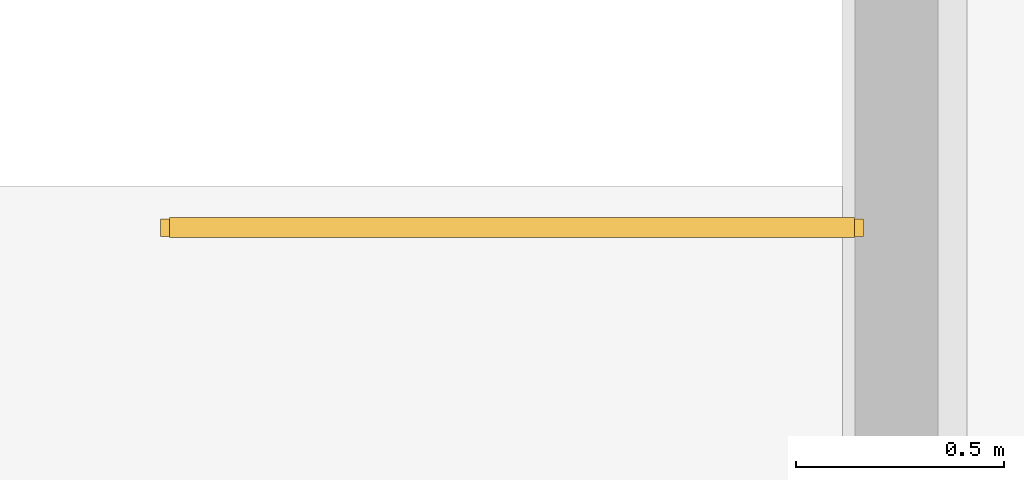
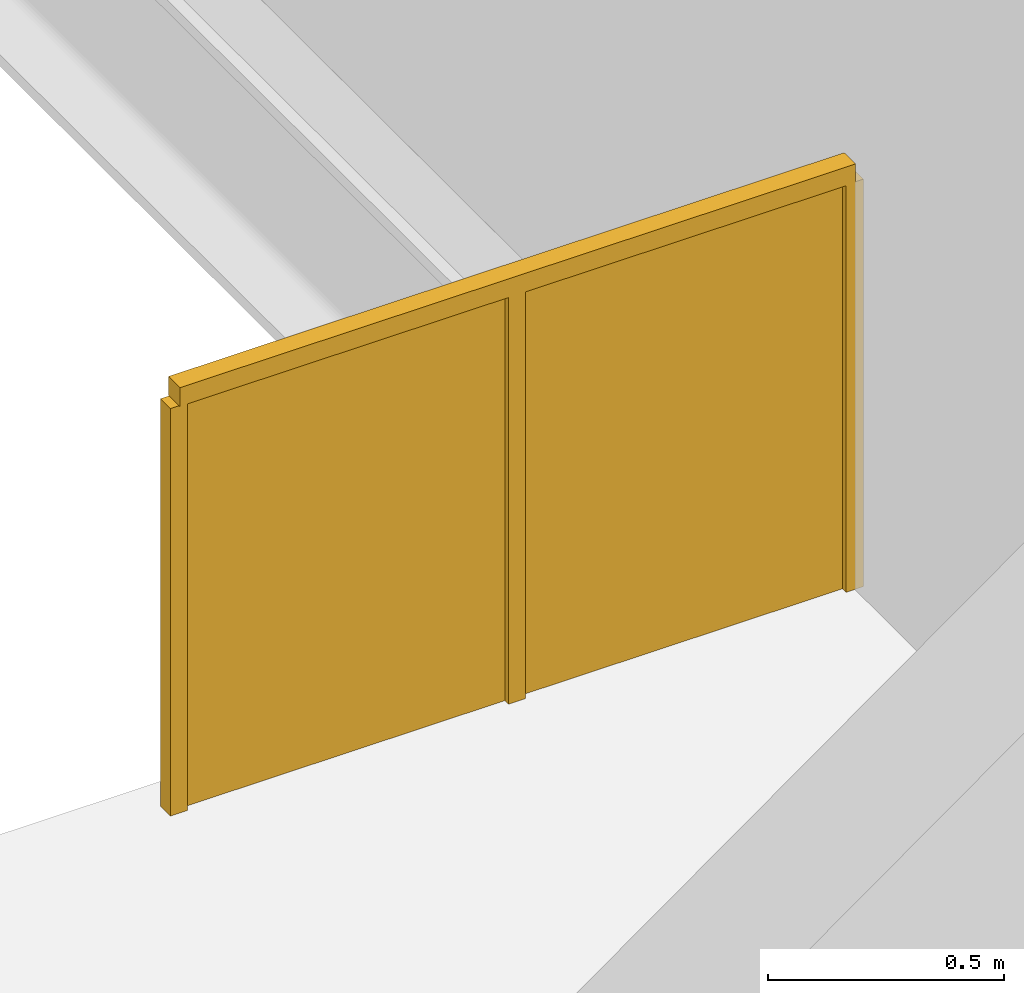
# One storey, part 22 of 22: 1 railing.
"""IFC4 building model written with IfcOpenShell, lengths in metres."""

from ifc_helpers import new_model, si_unit, direction, frame, origin, origin_2d, place, context, subcontext, project, spatial, polyline, rectangle, outline, extrude, material, type_object, element, save


model = new_model("IFC4")

# Units and contexts
model_context = context("Model", 3, precision=1e-05, world=origin(), true_north=direction((0.0, 1.0)))
body_context = subcontext(model_context, "Body", "Model", "MODEL_VIEW")
ifc_project = project(units=[si_unit("LENGTHUNIT", "METRE"), si_unit("AREAUNIT", "SQUARE_METRE"), si_unit("VOLUMEUNIT", "CUBIC_METRE"), si_unit("PLANEANGLEUNIT", "RADIAN"), si_unit("MASSUNIT", "GRAM", prefix="KILO")], contexts=[model_context])

# Site, building, storey
site_placement = place(None, origin())
site = spatial("IfcSite", under=ifc_project, at=site_placement, CompositionType="ELEMENT")
building_placement = place(site_placement, origin())
building = spatial("IfcBuilding", under=site, at=building_placement, Name="Cairn Pilgrim Tower", CompositionType="ELEMENT")
storey_placement = place(building_placement, frame((0.0, 0.0, 35.39990234375)))
storey = spatial("IfcBuildingStorey", under=building, at=storey_placement, Name="L06", CompositionType="ELEMENT", Elevation=35.39990234375)

# Railing
ifc_material = material(Name="Painted steel", Category="steel")
railing_type = type_object("IfcRailingType", Name="PODIUM STAIR GUARD 1100", PredefinedType="GUARDRAIL", material=ifc_material)
railing_placement = place(storey_placement, frame((34.14990234375, 20.14990234375, 0.0)))
element("IfcRailing", 1, at=railing_placement, inside=storey, type_object=railing_type, Name="L06 ST-ES4 top well guard 1", PredefinedType="GUARDRAIL", context=body_context, shape_type="SweptSolid", body=[
    extrude(rectangle(XDim=0.048095703125, YDim=0.048095703125, at=origin_2d()), frame((0.0, 0.0, 1.076171875), z_axis=(-1.0, 0.0, 0.0), x_axis=(0.0, -1.0, 0.0)), (0.0, 0.0, 1.0), 1.64990234375),
    extrude(rectangle(XDim=0.0419921875, YDim=0.0419921875, at=origin_2d()), origin(), (0.0, 0.0, 1.0), 1.052001953125),
    extrude(rectangle(XDim=0.0419921875, YDim=0.0419921875, at=origin_2d()), frame((-0.824951171875, 0.0, 0.0)), (0.0, 0.0, 1.0), 1.052001953125),
    extrude(rectangle(XDim=0.0419921875, YDim=0.0419921875, at=origin_2d()), frame((-1.64990234375, 0.0, 0.0)), (0.0, 0.0, 1.0), 1.052001953125),
    extrude(outline(polyline([(0.02099609375, 0.0), (0.803955078125, 0.0), (0.803955078125, 1.052001953125), (0.02099609375, 1.052001953125), (0.02099609375, 0.0)])), frame((0.0, -0.005859375, 0.0), z_axis=(0.0, 1.0, 0.0), x_axis=(-1.0, 0.0, 0.0)), (0.0, 0.0, 1.0), 0.011962890625),
    extrude(outline(polyline([(0.02099609375, 0.0), (0.803955078125, 0.0), (0.803955078125, 1.052001953125), (0.02099609375, 1.052001953125), (0.02099609375, 0.0)])), frame((-0.824951171875, -0.005859375, 0.0), z_axis=(0.0, 1.0, 0.0), x_axis=(-1.0, 0.0, 0.0)), (0.0, 0.0, 1.0), 0.011962890625),
])

save(model, "model.ifc")
